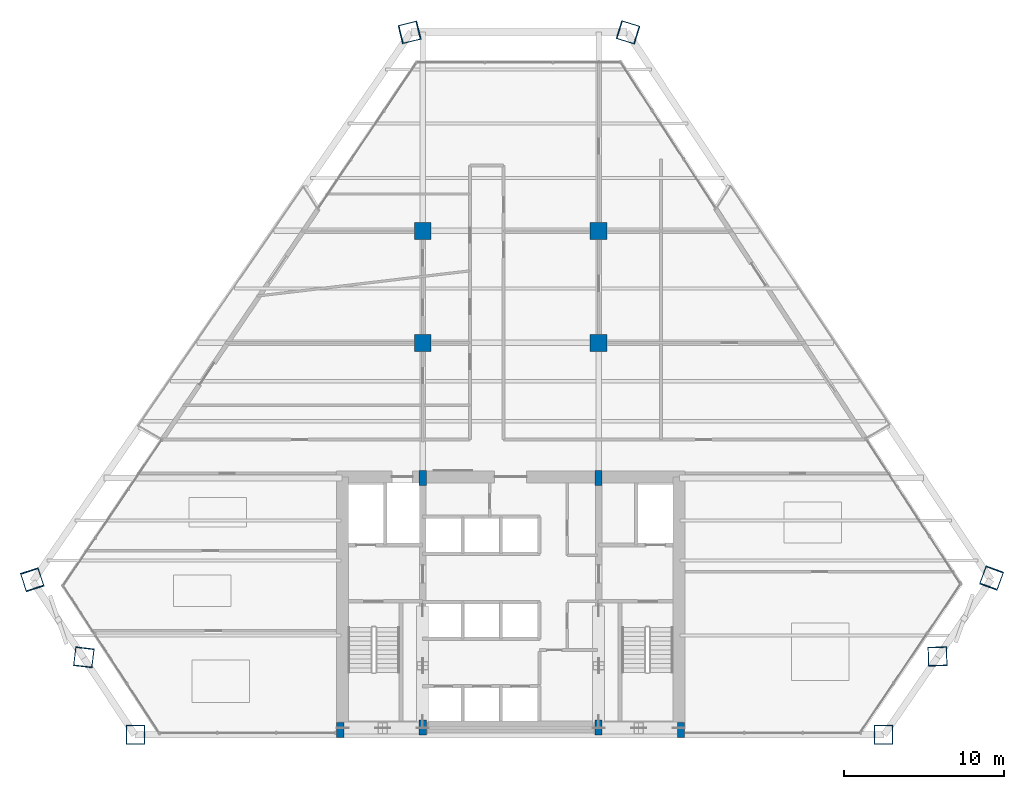
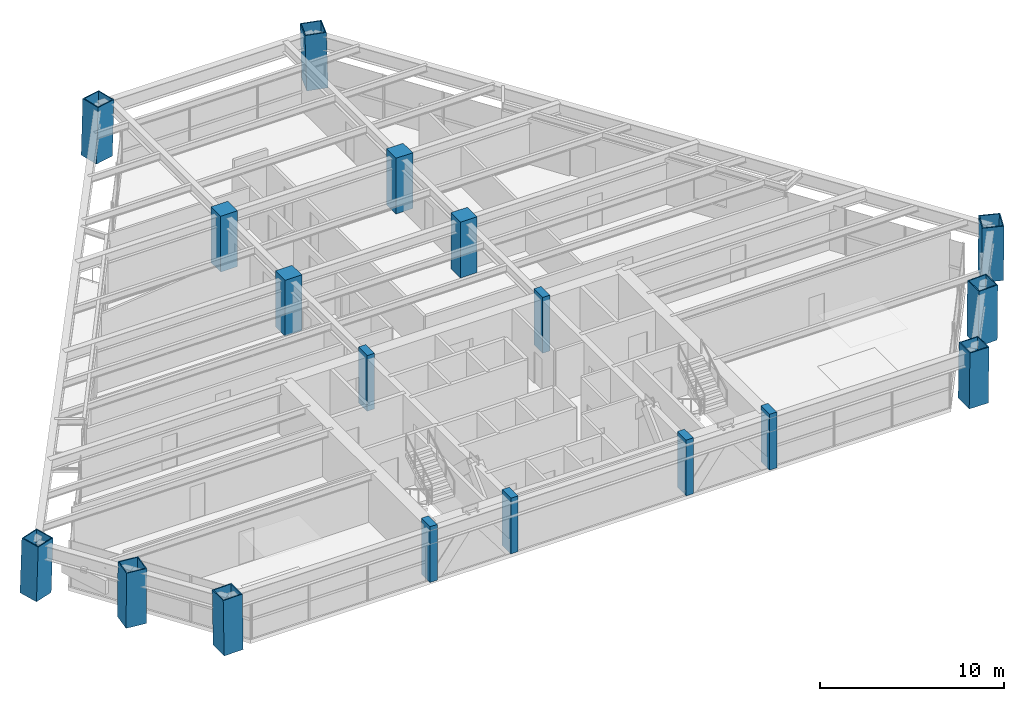
# One storey, part 1 of 14: 18 columns.
"""IFC4 building model written with IfcOpenShell, lengths in metres."""

from ifc_helpers import new_model, si_unit, direction, frame, origin, origin_2d, place, context, subcontext, project, spatial, rectangle, hollow_rectangle, extrude, source, transform, mapped, material, material_profile, profile_set, type_object, type_shapes, element, save


model = new_model("IFC4")

# Units and contexts
model_context = context("Model", 3, precision=1e-05, world=origin(), true_north=direction((0.0, 1.0)))
body_context = subcontext(model_context, "Body", "Model", "MODEL_VIEW")
ifc_project = project(units=[si_unit("LENGTHUNIT", "METRE"), si_unit("AREAUNIT", "SQUARE_METRE"), si_unit("VOLUMEUNIT", "CUBIC_METRE"), si_unit("PLANEANGLEUNIT", "RADIAN"), si_unit("MASSUNIT", "GRAM", prefix="KILO")], contexts=[model_context])

# Site, building, storey
site_placement = place(None, origin())
site = spatial("IfcSite", under=ifc_project, at=site_placement, CompositionType="ELEMENT")
building_placement = place(site_placement, origin())
building = spatial("IfcBuilding", under=site, at=building_placement, Name="Varnakhor Terracotta Tower", CompositionType="ELEMENT")
storey_placement = place(building_placement, frame((0.0, 0.0, 84.0)))
storey = spatial("IfcBuildingStorey", under=building, at=storey_placement, Name="L20", CompositionType="ELEMENT", Elevation=84.0)

# Columns
ifc_material_1 = material(Name="Concrete C50/60", Category="concrete")
ifc_material_profile_1 = material_profile(ifc_material_1, rectangle(XDim=0.449951171875, YDim=0.949951171875, at=origin_2d()), Name="RC PILASTER 950x450")
ifc_profile_set_1 = profile_set([ifc_material_profile_1], Name="Concrete C50/60")
column_type_1 = type_object("IfcColumnType", Name="COL-PIL-950x450", PredefinedType="PILASTER", material=ifc_profile_set_1)
shared_shape_1 = source(origin(), body_context, "Body", "SweptSolid", [
    extrude(rectangle(XDim=0.449951171875, YDim=0.949951171875, at=origin_2d()), origin(), (0.0, 0.0, 1.0), 3.699951171875),
])
for number, where, z_axis, x_axis, name in (
    (1, (-10.64990234375, 0.300048828125, 0.0), (0.0, 0.0, 1.0), (1.0, 0.0, 0.0), "L20 Core Pilaster CP1"),
    (2, (-5.5, 0.449951171875, 0.0), (0.0, 0.0, 1.0), (1.0, 0.0, 0.0), "L20 Core Pilaster CP2"),
    (3, (5.5, 0.449951171875, 0.0), (0.0, 0.0, 1.0), (1.0, 0.0, 0.0), "L20 Core Pilaster CP3"),
    (4, (10.64990234375, 0.300048828125, 0.0), (0.0, 0.0, 1.0), (1.0, 0.0, 0.0), "L20 Core Pilaster CP4"),
    (5, (-5.5, 16.050048828125, 0.0), (0.0, 0.0, 1.0), (1.0, 0.0, 0.0), "L20 Core Pilaster CP5"),
    (6, (5.5, 16.050048828125, 0.0), (0.0, 0.0, 1.0), (1.0, 0.0, 0.0), "L20 Core Pilaster CP6"),
):
    element("IfcColumn", number, at=place(storey_placement, frame(where, z_axis=z_axis, x_axis=x_axis)), inside=storey, type_object=column_type_1, Name=name, PredefinedType="PILASTER", context=body_context, shape_type="MappedRepresentation", body=[
        mapped(shared_shape_1, transform((0.0, 0.0, 0.0), scale=1.0)),
    ])
ifc_material_2 = material(Name="Concrete C60/75", Category="concrete")
ifc_material_profile_2 = material_profile(ifc_material_2, rectangle(XDim=1.050048828125, YDim=1.050048828125, at=origin_2d()), Name="RC 1050x1050")
ifc_profile_set_2 = profile_set([ifc_material_profile_2], Name="Concrete C60/75")
column_type_2 = type_object("IfcColumnType", Name="COL-RC-1050", PredefinedType="COLUMN", material=ifc_profile_set_2)
shared_shape_2 = source(origin(), body_context, "Body", "SweptSolid", [
    extrude(rectangle(XDim=1.050048828125, YDim=1.050048828125, at=origin_2d()), origin(), (0.0, 0.0, 1.0), 3.699951171875),
])
for number, where, z_axis, x_axis, name in (
    (7, (-5.5, 24.5, 0.0), (0.0, 0.0, 1.0), (1.0, 0.0, 0.0), "L20 Interior Tower Column IC1"),
    (8, (5.5, 24.5, 0.0), (0.0, 0.0, 1.0), (1.0, 0.0, 0.0), "L20 Interior Tower Column IC2"),
    (9, (-5.5, 31.5, 0.0), (0.0, 0.0, 1.0), (1.0, 0.0, 0.0), "L20 Interior Tower Column IC3"),
    (10, (5.5, 31.5, 0.0), (0.0, 0.0, 1.0), (1.0, 0.0, 0.0), "L20 Interior Tower Column IC4"),
):
    element("IfcColumn", number, at=place(storey_placement, frame(where, z_axis=z_axis, x_axis=x_axis)), inside=storey, type_object=column_type_2, Name=name, PredefinedType="COLUMN", context=body_context, shape_type="MappedRepresentation", body=[
        mapped(shared_shape_2, transform((0.0, 0.0, 0.0), scale=1.0)),
    ])
ifc_material_3 = material(Name="Steel S460", Category="steel")
ifc_material_profile_3 = material_profile(ifc_material_3, hollow_rectangle(XDim=1.199951171875, YDim=1.199951171875, WallThickness=0.06005859375, at=origin_2d()), Name="BOX 1200x1200x60")
ifc_profile_set_3 = profile_set([ifc_material_profile_3], Name="Steel S460")
column_type_3 = type_object("IfcColumnType", Name="COL-MEGA-1200", PredefinedType="COLUMN", material=ifc_profile_set_3)
shared_shape_3 = source(origin(), body_context, "Body", "SweptSolid", [
    extrude(hollow_rectangle(XDim=1.199951171875, YDim=1.199951171875, WallThickness=0.06005859375, at=origin_2d()), origin(), (0.0, 0.0, 1.0), 3.691650390625),
])
type_shapes(column_type_3, [shared_shape_3])
for number, where, z_axis, x_axis, name in (
    (11, (-23.43994140625, 0.0, 0.00439453125), (-0.015277005241, 0.0, 0.999883299746), (0.0, -1.0, 0.0), "L20 Perimeter Mega-Column M1"),
    (12, (26.682861328125, 4.908935546875, 0.00439453125), (0.000529066556, -0.016136529962, 0.99986965775), (0.999462943033, 0.032769276821, 0.0), "L20 Perimeter Mega-Column M3"),
    (13, (-26.67626953125, 4.8564453125, 0.00439453125), (-0.002050099685, -0.01699598771, 0.999853456009), (0.992803533881, -0.119754511869, 0.0), "L20 Perimeter Mega-Column M8"),
):
    element("IfcColumn", number, at=place(storey_placement, frame(where, z_axis=z_axis, x_axis=x_axis)), inside=storey, type_object=column_type_3, Name=name, PredefinedType="COLUMN", context=body_context, shape_type="MappedRepresentation", body=[
        mapped(shared_shape_3, transform((0.0, 0.0, 0.0), scale=1.0)),
    ])
shared_shape_4 = source(origin(), body_context, "Body", "SweptSolid", [
    extrude(hollow_rectangle(XDim=1.199951171875, YDim=1.199951171875, WallThickness=0.06005859375, at=origin_2d()), origin(), (0.0, 0.0, 1.0), 3.69140625),
])
column_1_placement = place(storey_placement, frame((23.297607421875, 0.0, 0.00439453125), z_axis=(0.012896605787, 0.0, 0.999916835321), x_axis=(0.0, 1.0, 0.0)))
element("IfcColumn", 14, at=column_1_placement, inside=storey, type_object=column_type_3, Name="L20 Perimeter Mega-Column M2", PredefinedType="COLUMN", context=body_context, shape_type="MappedRepresentation", body=[
    mapped(shared_shape_4, transform((0.0, 0.0, 0.0), scale=1.0)),
])
shared_shape_5 = source(origin(), body_context, "Body", "SweptSolid", [
    extrude(hollow_rectangle(XDim=1.199951171875, YDim=1.199951171875, WallThickness=0.06005859375, at=origin_2d()), origin(), (0.0, 0.0, 1.0), 3.693359375),
])
column_2_placement = place(storey_placement, frame((30.068115234375, 9.81787109375, 0.00439453125), z_axis=(-0.011766322805, -0.032258233309, 0.999410306146), x_axis=(0.939455719597, -0.342670323951, 0.0)))
element("IfcColumn", 15, at=column_2_placement, inside=storey, type_object=column_type_3, Name="L20 Perimeter Mega-Column M4", PredefinedType="COLUMN", context=body_context, shape_type="MappedRepresentation", body=[
    mapped(shared_shape_5, transform((0.0, 0.0, 0.0), scale=1.0)),
])
shared_shape_6 = source(origin(), body_context, "Body", "SweptSolid", [
    extrude(hollow_rectangle(XDim=1.199951171875, YDim=1.199951171875, WallThickness=0.06005859375, at=origin_2d()), origin(), (0.0, 0.0, 1.0), 3.6923828125),
])
column_3_placement = place(storey_placement, frame((7.35400390625, 43.902587890625, 0.00439453125), z_axis=(-0.025191327785, 0.007735919556, 0.999652715973), x_axis=(-0.293556872503, -0.955941610459, 0.0)))
element("IfcColumn", 16, at=column_3_placement, inside=storey, type_object=column_type_3, Name="L20 Perimeter Mega-Column M5", PredefinedType="COLUMN", context=body_context, shape_type="MappedRepresentation", body=[
    mapped(shared_shape_6, transform((0.0, 0.0, 0.0), scale=1.0)),
])
shared_shape_7 = source(origin(), body_context, "Body", "SweptSolid", [
    extrude(hollow_rectangle(XDim=1.199951171875, YDim=1.199951171875, WallThickness=0.06005859375, at=origin_2d()), origin(), (0.0, 0.0, 1.0), 3.693603515625),
])
column_4_placement = place(storey_placement, frame((-29.91259765625, 9.712890625, 0.00439453125), z_axis=(0.011104720366, -0.034041255884, 0.99935873343), x_axis=(0.950694348256, 0.31012941846, 0.0)))
element("IfcColumn", 17, at=column_4_placement, inside=storey, type_object=column_type_3, Name="L20 Perimeter Mega-Column M7", PredefinedType="COLUMN", context=body_context, shape_type="MappedRepresentation", body=[
    mapped(shared_shape_7, transform((0.0, 0.0, 0.0), scale=1.0)),
])
shared_shape_8 = source(origin(), body_context, "Body", "SweptSolid", [
    extrude(hollow_rectangle(XDim=1.199951171875, YDim=1.199951171875, WallThickness=0.06005859375, at=origin_2d()), origin(), (0.0, 0.0, 1.0), 3.693115234375),
])
column_5_placement = place(storey_placement, frame((-6.335693359375, 43.902587890625, 0.00439453125), z_axis=(0.03146703056, 0.007734543226, 0.99947486353), x_axis=(-0.23869350757, 0.971094953876, 0.0)))
element("IfcColumn", 18, at=column_5_placement, inside=storey, type_object=column_type_3, Name="L20 Perimeter Mega-Column M6", PredefinedType="COLUMN", context=body_context, shape_type="MappedRepresentation", body=[
    mapped(shared_shape_8, transform((0.0, 0.0, 0.0), scale=1.0)),
])

save(model, "model.ifc")
